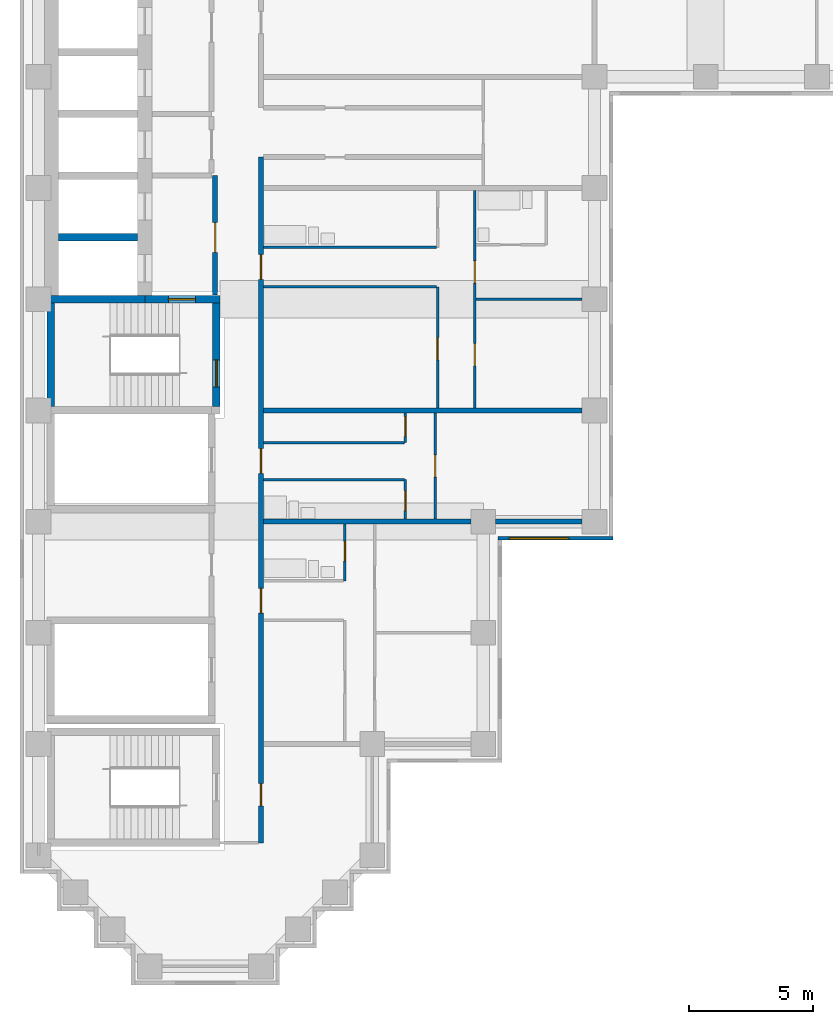
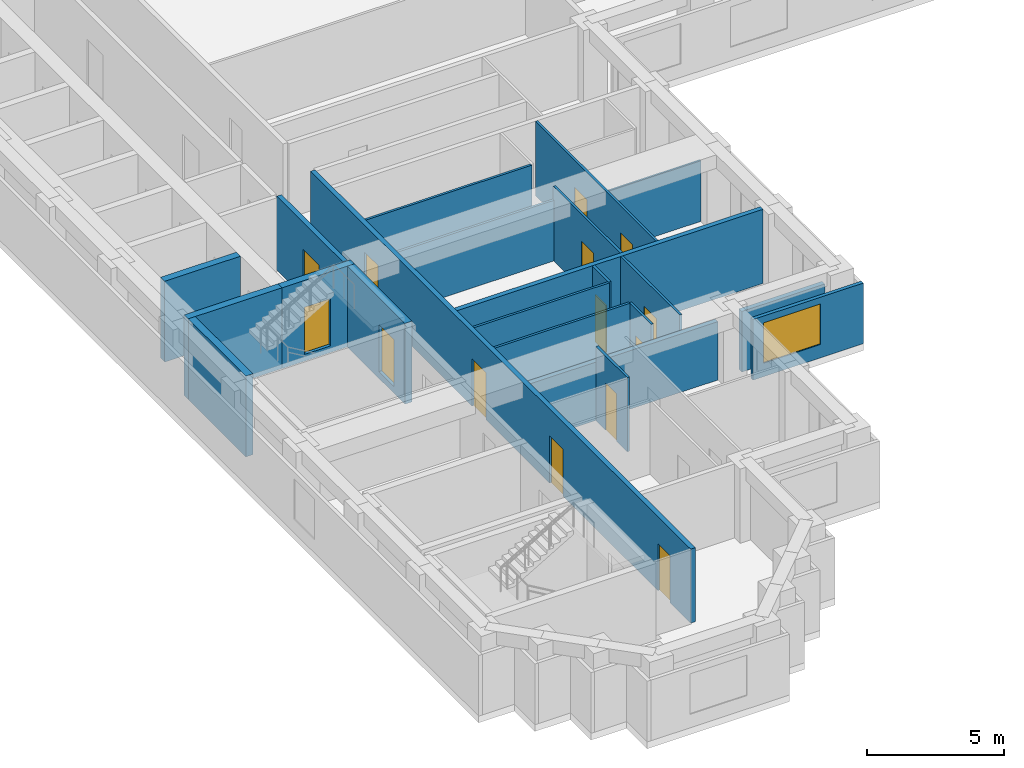
# One storey, part 3 of 12: 22 walls, 14 doors, 1 window, 15 openings.
"""IFC4 building model written with IfcOpenShell, lengths in metres."""

from ifc_helpers import new_model, si_unit, direction, frame, frame_2d, origin, place, context, subcontext, project, spatial, rectangle, extrude, material, layer, layer_set, type_object, element, fill, save


model = new_model("IFC4")

# Units and contexts
model_context = context("Model", 3, precision=1e-05, world=origin(), true_north=direction((0.0, 1.0)))
body_context = subcontext(model_context, "Body", "Model", "MODEL_VIEW")
ifc_project = project(units=[si_unit("LENGTHUNIT", "METRE"), si_unit("AREAUNIT", "SQUARE_METRE"), si_unit("VOLUMEUNIT", "CUBIC_METRE"), si_unit("PLANEANGLEUNIT", "RADIAN"), si_unit("MASSUNIT", "GRAM", prefix="KILO")], contexts=[model_context])

# Site, building, storey
site_placement = place(None, origin())
site = spatial("IfcSite", under=ifc_project, at=site_placement, CompositionType="ELEMENT")
building_placement = place(site_placement, origin())
building = spatial("IfcBuilding", under=site, at=building_placement, Name="Firuza Court", CompositionType="ELEMENT")
storey_placement = place(building_placement, frame((0.0, 0.0, 155.60009765625)))
storey = spatial("IfcBuildingStorey", under=building, at=storey_placement, Name="L39", CompositionType="ELEMENT", Elevation=155.60009765625)

# Walls
ifc_material_1 = material(Name="Moisture-resistant gypsum board partition")
ifc_layer_1 = layer(ifc_material_1, 0.10009765625)
ifc_layer_set_1 = layer_set([ifc_layer_1], Name="Moisture-resistant gypsum board partition")
wall_type_1 = type_object("IfcWallType", Name="Bathroom partition 100", PredefinedType="PLUMBINGWALL", material=ifc_layer_set_1)
wall_1_placement = place(storey_placement, frame((9.10009765625, 19.699951171875, 0.0), z_axis=(0.0, 0.0, 1.0), x_axis=(1.0, 0.0, 0.0)))
element("IfcWall", 1, at=wall_1_placement, inside=storey, type_object=wall_type_1, Name="Bathroom partition 100 L39", PredefinedType="PLUMBINGWALL", context=body_context, shape_type="SweptSolid", body=[
    extrude(rectangle(XDim=5.699951171875, YDim=0.10009765625, at=frame_2d((2.85009765625, 0.0))), origin(), (0.0, 0.0, 1.0), 3.2998046875),
])
wall_2_placement = place(storey_placement, frame((9.10009765625, 29.10009765625, 0.0), z_axis=(0.0, 0.0, 1.0), x_axis=(1.0, 0.0, 0.0)))
element("IfcWall", 2, at=wall_2_placement, inside=storey, type_object=wall_type_1, Name="Bathroom partition 100 L39", PredefinedType="PLUMBINGWALL", context=body_context, shape_type="SweptSolid", body=[
    extrude(rectangle(XDim=7.0, YDim=0.10009765625, at=frame_2d((3.5, 0.0))), origin(), (0.0, 0.0, 1.0), 3.2998046875),
])
ifc_material_2 = material(Name="Concrete C60/75", Category="concrete")
ifc_layer_2 = layer(ifc_material_2, 0.300048828125)
ifc_layer_set_2 = layer_set([ifc_layer_2], Name="Concrete C60/75")
wall_type_2 = type_object("IfcWallType", Name="Core wall 300 C60/75", PredefinedType="SHEAR", material=ifc_layer_set_2)
wall_3_placement = place(storey_placement, frame((0.35009765625, 27.0, -0.300048828125), z_axis=(0.0, 0.0, 1.0), x_axis=(1.0, 0.0, 0.0)))
element("IfcWall", 3, at=wall_3_placement, inside=storey, type_object=wall_type_2, Name="Core wall lift shaft L39", PredefinedType="SHEAR", context=body_context, shape_type="SweptSolid", body=[
    extrude(rectangle(XDim=3.949951171875, YDim=0.300048828125, at=frame_2d((1.97509765625, 0.0))), origin(), (0.0, 0.0, 1.0), 3.599853515625),
])
wall_4_placement = place(storey_placement, frame((0.5, 22.64990234375, -0.300048828125), z_axis=(0.0, 0.0, 1.0), x_axis=(0.0, 1.0, 0.0)))
element("IfcWall", 4, at=wall_4_placement, inside=storey, type_object=wall_type_2, Name="Core wall stair L39", PredefinedType="SHEAR", context=body_context, shape_type="SweptSolid", body=[
    extrude(rectangle(XDim=4.2001953125, YDim=0.300048828125, at=frame_2d((2.10009765625, 0.0))), origin(), (0.0, 0.0, 1.0), 3.599853515625),
])
wall_5_placement = place(storey_placement, frame((0.800048828125, 29.5, -0.300048828125), z_axis=(0.0, 0.0, 1.0), x_axis=(1.0, 0.0, 0.0)))
element("IfcWall", 5, at=wall_5_placement, inside=storey, type_object=wall_type_2, Name="Core wall lift shaft L39", PredefinedType="SHEAR", context=body_context, shape_type="SweptSolid", body=[
    extrude(rectangle(XDim=3.199951171875, YDim=0.300048828125, at=frame_2d((1.60009765625, 0.0))), origin(), (0.0, 0.0, 1.0), 3.599853515625),
])

# Wall, opening, door
wall_6_placement = place(storey_placement, frame((4.300048828125, 27.0, -0.300048828125), z_axis=(0.0, 0.0, 1.0), x_axis=(1.0, 0.0, 0.0)))
wall_6 = element("IfcWall", 6, at=wall_6_placement, inside=storey, type_object=wall_type_2, Name="Core wall stair L39", PredefinedType="SHEAR", context=body_context, shape_type="SweptSolid", body=[
    extrude(rectangle(XDim=3.050048828125, YDim=0.300048828125, at=frame_2d((1.52490234375, 0.0))), origin(), (0.0, 0.0, 1.0), 3.599853515625),
])
opening_1_placement = place(wall_6_placement, frame((0.949951171875, 0.0, 0.300048828125)))
opening_1 = element("IfcOpeningElement", 7, at=opening_1_placement, cuts=wall_6, Name="Opening D39013", PredefinedType="OPENING", context=body_context, shape_type="SweptSolid", body=[
    extrude(rectangle(XDim=1.10009765625, YDim=2.10009765625, at=frame_2d((0.550048828125, 1.050048828125))), frame((0.0, 0.162109375, 0.0), z_axis=(0.0, -1.0, 0.0), x_axis=(1.0, 0.0, 0.0)), (0.0, 0.0, 1.0), 0.323974609375),
])
ifc_material_3 = material(Name="Timber door leaf in hardwood frame", Category="wood")
door_type_1 = type_object("IfcDoorType", Name="Stair door 1100", OperationType="SINGLE_SWING_LEFT", PredefinedType="DOOR", material=ifc_material_3)
door_1_placement = place(opening_1_placement, frame((1.10009765625, 0.0, 0.0), z_axis=(0.0, 0.0, 1.0), x_axis=(-1.0, 0.0, 0.0)))
door_1 = element("IfcDoor", 8, at=door_1_placement, inside=storey, type_object=door_type_1, Name="Fire-fighting lobby door", OperationType="SINGLE_SWING_LEFT", OverallHeight=2.10009765625, OverallWidth=1.10009765625, PredefinedType="DOOR", context=body_context, shape_type="SweptSolid", body=[
    extrude(rectangle(XDim=1.10009765625, YDim=2.10009765625, at=frame_2d((0.550048828125, 1.050048828125))), frame((0.0, 0.02490234375, 0.0), z_axis=(0.0, -1.0, 0.0), x_axis=(1.0, 0.0, 0.0)), (0.0, 0.0, 1.0), 0.050048828125),
])
fill(opening_1, door_1)

wall_7_placement = place(storey_placement, frame((7.199951171875, 22.64990234375, -0.300048828125), z_axis=(0.0, 0.0, 1.0), x_axis=(0.0, 1.0, 0.0)))
wall_7 = element("IfcWall", 9, at=wall_7_placement, inside=storey, type_object=wall_type_2, Name="Core wall stair L39", PredefinedType="SHEAR", context=body_context, shape_type="SweptSolid", body=[
    extrude(rectangle(XDim=4.2001953125, YDim=0.300048828125, at=frame_2d((2.10009765625, 0.0))), origin(), (0.0, 0.0, 1.0), 3.599853515625),
])
opening_2_placement = place(wall_7_placement, frame((0.800048828125, 0.0, 0.300048828125)))
opening_2 = element("IfcOpeningElement", 10, at=opening_2_placement, cuts=wall_7, Name="Opening D39014", PredefinedType="OPENING", context=body_context, shape_type="SweptSolid", body=[
    extrude(rectangle(XDim=1.10009765625, YDim=2.10009765625, at=frame_2d((0.550048828125, 1.050048828125))), frame((0.0, 0.162109375, 0.0), z_axis=(0.0, -1.0, 0.0), x_axis=(1.0, 0.0, 0.0)), (0.0, 0.0, 1.0), 0.323974609375),
])
door_2_placement = place(opening_2_placement, origin())
door_2 = element("IfcDoor", 11, at=door_2_placement, inside=storey, type_object=door_type_1, Name="Stair door S2", OperationType="SINGLE_SWING_LEFT", OverallHeight=2.10009765625, OverallWidth=1.10009765625, PredefinedType="DOOR", context=body_context, shape_type="SweptSolid", body=[
    extrude(rectangle(XDim=1.10009765625, YDim=2.10009765625, at=frame_2d((0.550048828125, 1.050048828125))), frame((0.0, 0.02490234375, 0.0), z_axis=(0.0, -1.0, 0.0), x_axis=(1.0, 0.0, 0.0)), (0.0, 0.0, 1.0), 0.050048828125),
])
fill(opening_2, door_2)

# Wall, openings, doors
ifc_material_4 = material(Name="Blockwork, plastered both sides", Category="masonry")
ifc_layer_3 = layer(ifc_material_4, 0.199951171875)
ifc_layer_set_3 = layer_set([ifc_layer_3], Name="Blockwork, plastered both sides")
wall_type_3 = type_object("IfcWallType", Name="Corridor wall 200", PredefinedType="PARTITIONING", material=ifc_layer_set_3)
wall_8_placement = place(storey_placement, frame((9.0, 5.0, 0.0), z_axis=(0.0, 0.0, 1.0), x_axis=(0.0, 1.0, 0.0)))
wall_8 = element("IfcWall", 12, at=wall_8_placement, inside=storey, type_object=wall_type_3, Name="Corridor wall 200 L39", PredefinedType="PARTITIONING", context=body_context, shape_type="SweptSolid", body=[
    extrude(rectangle(XDim=27.75, YDim=0.199951171875, at=frame_2d((13.875, 0.0))), origin(), (0.0, 0.0, 1.0), 3.2998046875),
])
opening_3_placement = place(wall_8_placement, frame((22.800048828125, 0.0, 0.0)))
opening_3 = element("IfcOpeningElement", 13, at=opening_3_placement, cuts=wall_8, Name="Opening D39018", PredefinedType="OPENING", context=body_context, shape_type="SweptSolid", body=[
    extrude(rectangle(XDim=1.0, YDim=2.10009765625, at=frame_2d((0.5, 1.050048828125))), frame((0.0, 0.11181640625, 0.0), z_axis=(0.0, -1.0, 0.0), x_axis=(1.0, 0.0, 0.0)), (0.0, 0.0, 1.0), 0.223876953125),
])
opening_4_placement = place(wall_8_placement, frame((14.949951171875, 0.0, 0.0)))
opening_4 = element("IfcOpeningElement", 14, at=opening_4_placement, cuts=wall_8, Name="Opening D39019", PredefinedType="OPENING", context=body_context, shape_type="SweptSolid", body=[
    extrude(rectangle(XDim=1.0, YDim=2.10009765625, at=frame_2d((0.5, 1.050048828125))), frame((0.0, 0.11181640625, 0.0), z_axis=(0.0, -1.0, 0.0), x_axis=(1.0, 0.0, 0.0)), (0.0, 0.0, 1.0), 0.223876953125),
])
opening_5_placement = place(wall_8_placement, frame((9.300048828125, 0.0, 0.0)))
opening_5 = element("IfcOpeningElement", 15, at=opening_5_placement, cuts=wall_8, Name="Opening D39020", PredefinedType="OPENING", context=body_context, shape_type="SweptSolid", body=[
    extrude(rectangle(XDim=1.0, YDim=2.10009765625, at=frame_2d((0.5, 1.050048828125))), frame((0.0, 0.11181640625, 0.0), z_axis=(0.0, -1.0, 0.0), x_axis=(1.0, 0.0, 0.0)), (0.0, 0.0, 1.0), 0.223876953125),
])
opening_6_placement = place(wall_8_placement, frame((1.5, 0.0, 0.0)))
opening_6 = element("IfcOpeningElement", 16, at=opening_6_placement, cuts=wall_8, Name="Opening D39021", PredefinedType="OPENING", context=body_context, shape_type="SweptSolid", body=[
    extrude(rectangle(XDim=0.89990234375, YDim=2.10009765625, at=frame_2d((0.449951171875, 1.050048828125))), frame((0.0, 0.11181640625, 0.0), z_axis=(0.0, -1.0, 0.0), x_axis=(1.0, 0.0, 0.0)), (0.0, 0.0, 1.0), 0.223876953125),
])
ifc_material_5 = material(Name="Timber door leaf in hardwood frame", Category="wood")
door_type_2 = type_object("IfcDoorType", Name="Flat entrance door 1000", OperationType="SINGLE_SWING_LEFT", PredefinedType="DOOR", material=ifc_material_5)
door_3_placement = place(opening_3_placement, origin())
door_3 = element("IfcDoor", 17, at=door_3_placement, inside=storey, type_object=door_type_2, Name="Flat entrance door", OperationType="SINGLE_SWING_LEFT", OverallHeight=2.10009765625, OverallWidth=1.0, PredefinedType="DOOR", context=body_context, shape_type="SweptSolid", body=[
    extrude(rectangle(XDim=1.0, YDim=2.10009765625, at=frame_2d((0.5, 1.050048828125))), frame((0.0, 0.02490234375, 0.0), z_axis=(0.0, -1.0, 0.0), x_axis=(1.0, 0.0, 0.0)), (0.0, 0.0, 1.0), 0.050048828125),
])
fill(opening_3, door_3)
door_4_placement = place(opening_4_placement, origin())
door_4 = element("IfcDoor", 18, at=door_4_placement, inside=storey, type_object=door_type_2, Name="Flat entrance door", OperationType="SINGLE_SWING_LEFT", OverallHeight=2.10009765625, OverallWidth=1.0, PredefinedType="DOOR", context=body_context, shape_type="SweptSolid", body=[
    extrude(rectangle(XDim=1.0, YDim=2.10009765625, at=frame_2d((0.5, 1.050048828125))), frame((0.0, 0.02490234375, 0.0), z_axis=(0.0, -1.0, 0.0), x_axis=(1.0, 0.0, 0.0)), (0.0, 0.0, 1.0), 0.050048828125),
])
fill(opening_4, door_4)
door_5_placement = place(opening_5_placement, origin())
door_5 = element("IfcDoor", 19, at=door_5_placement, inside=storey, type_object=door_type_2, Name="Flat entrance door", OperationType="SINGLE_SWING_LEFT", OverallHeight=2.10009765625, OverallWidth=1.0, PredefinedType="DOOR", context=body_context, shape_type="SweptSolid", body=[
    extrude(rectangle(XDim=1.0, YDim=2.10009765625, at=frame_2d((0.5, 1.050048828125))), frame((0.0, 0.02490234375, 0.0), z_axis=(0.0, -1.0, 0.0), x_axis=(1.0, 0.0, 0.0)), (0.0, 0.0, 1.0), 0.050048828125),
])
fill(opening_5, door_5)
ifc_material_6 = material(Name="Timber door leaf in hardwood frame", Category="wood")
door_type_3 = type_object("IfcDoorType", Name="Room door 900 EI 30", OperationType="SINGLE_SWING_LEFT", PredefinedType="DOOR", material=ifc_material_6)
door_6_placement = place(opening_6_placement, frame((0.89990234375, 0.0, 0.0), z_axis=(0.0, 0.0, 1.0), x_axis=(-1.0, 0.0, 0.0)))
door_6 = element("IfcDoor", 20, at=door_6_placement, inside=storey, type_object=door_type_3, Name="Music room door", OperationType="SINGLE_SWING_LEFT", OverallHeight=2.10009765625, OverallWidth=0.89990234375, PredefinedType="DOOR", context=body_context, shape_type="SweptSolid", body=[
    extrude(rectangle(XDim=0.89990234375, YDim=2.10009765625, at=frame_2d((0.449951171875, 1.050048828125))), frame((0.0, 0.02490234375, 0.0), z_axis=(0.0, -1.0, 0.0), x_axis=(1.0, 0.0, 0.0)), (0.0, 0.0, 1.0), 0.050048828125),
])
fill(opening_6, door_6)

# Wall, opening, door
ifc_material_7 = material(Name="Timber stud partition, plasterboard both sides", Category="wood")
ifc_layer_4 = layer(ifc_material_7, 0.10009765625)
ifc_layer_set_4 = layer_set([ifc_layer_4], Name="Timber stud partition, plasterboard both sides")
wall_type_4 = type_object("IfcWallType", Name="Partition wall 100", PredefinedType="PARTITIONING", material=ifc_layer_set_4)
wall_9_placement = place(storey_placement, frame((12.39990234375, 15.60009765625, 0.0), z_axis=(0.0, 0.0, 1.0), x_axis=(0.0, 1.0, 0.0)))
wall_9 = element("IfcWall", 21, at=wall_9_placement, inside=storey, type_object=wall_type_4, Name="Partition wall 100 L39", PredefinedType="PARTITIONING", context=body_context, shape_type="SweptSolid", body=[
    extrude(rectangle(XDim=2.2998046875, YDim=0.10009765625, at=frame_2d((1.14990234375, 0.0))), origin(), (0.0, 0.0, 1.0), 3.2998046875),
])
opening_7_placement = place(wall_9_placement, frame((0.800048828125, 0.0, 0.0)))
opening_7 = element("IfcOpeningElement", 22, at=opening_7_placement, cuts=wall_9, Name="Opening D39026", PredefinedType="OPENING", context=body_context, shape_type="SweptSolid", body=[
    extrude(rectangle(XDim=0.800048828125, YDim=2.10009765625, at=frame_2d((0.39990234375, 1.050048828125))), frame((0.0, 0.06201171875, 0.0), z_axis=(0.0, -1.0, 0.0), x_axis=(1.0, 0.0, 0.0)), (0.0, 0.0, 1.0), 0.1240234375),
])
ifc_material_8 = material(Name="Timber door leaf in hardwood frame", Category="wood")
door_type_4 = type_object("IfcDoorType", Name="Bathroom door 800", OperationType="SINGLE_SWING_LEFT", PredefinedType="DOOR", material=ifc_material_8)
door_7_placement = place(opening_7_placement, origin())
door_7 = element("IfcDoor", 23, at=door_7_placement, inside=storey, type_object=door_type_4, Name="Bathroom door", OperationType="SINGLE_SWING_LEFT", OverallHeight=2.10009765625, OverallWidth=0.800048828125, PredefinedType="DOOR", context=body_context, shape_type="SweptSolid", body=[
    extrude(rectangle(XDim=0.800048828125, YDim=2.10009765625, at=frame_2d((0.39990234375, 1.050048828125))), frame((0.0, 0.02490234375, 0.0), z_axis=(0.0, -1.0, 0.0), x_axis=(1.0, 0.0, 0.0)), (0.0, 0.0, 1.0), 0.050048828125),
])
fill(opening_7, door_7)

wall_10_placement = place(storey_placement, frame((14.85009765625, 18.10009765625, 0.0), z_axis=(0.0, 0.0, 1.0), x_axis=(0.0, 1.0, 0.0)))
wall_10 = element("IfcWall", 24, at=wall_10_placement, inside=storey, type_object=wall_type_4, Name="Partition wall 100 L39", PredefinedType="PARTITIONING", context=body_context, shape_type="SweptSolid", body=[
    extrude(rectangle(XDim=1.599853515625, YDim=0.10009765625, at=frame_2d((0.7998046875, 0.0))), origin(), (0.0, 0.0, 1.0), 3.2998046875),
])
opening_8_placement = place(wall_10_placement, frame((0.35009765625, 0.0, 0.0)))
opening_8 = element("IfcOpeningElement", 25, at=opening_8_placement, cuts=wall_10, Name="Opening D39027", PredefinedType="OPENING", context=body_context, shape_type="SweptSolid", body=[
    extrude(rectangle(XDim=0.800048828125, YDim=2.10009765625, at=frame_2d((0.39990234375, 1.050048828125))), frame((0.0, 0.06201171875, 0.0), z_axis=(0.0, -1.0, 0.0), x_axis=(1.0, 0.0, 0.0)), (0.0, 0.0, 1.0), 0.1240234375),
])
door_8_placement = place(opening_8_placement, origin())
door_8 = element("IfcDoor", 26, at=door_8_placement, inside=storey, type_object=door_type_4, Name="Bathroom door", OperationType="SINGLE_SWING_LEFT", OverallHeight=2.10009765625, OverallWidth=0.800048828125, PredefinedType="DOOR", context=body_context, shape_type="SweptSolid", body=[
    extrude(rectangle(XDim=0.800048828125, YDim=2.10009765625, at=frame_2d((0.39990234375, 1.050048828125))), frame((0.0, 0.02490234375, 0.0), z_axis=(0.0, -1.0, 0.0), x_axis=(1.0, 0.0, 0.0)), (0.0, 0.0, 1.0), 0.050048828125),
])
fill(opening_8, door_8)

wall_11_placement = place(storey_placement, frame((16.050048828125, 18.10009765625, 0.0), z_axis=(0.0, 0.0, 1.0), x_axis=(0.0, 1.0, 0.0)))
wall_11 = element("IfcWall", 27, at=wall_11_placement, inside=storey, type_object=wall_type_4, Name="Partition wall 100 L39", PredefinedType="PARTITIONING", context=body_context, shape_type="SweptSolid", body=[
    extrude(rectangle(XDim=4.2998046875, YDim=0.10009765625, at=frame_2d((2.14990234375, 0.0))), origin(), (0.0, 0.0, 1.0), 3.2998046875),
])
opening_9_placement = place(wall_11_placement, frame((1.699951171875, 0.0, 0.0)))
opening_9 = element("IfcOpeningElement", 28, at=opening_9_placement, cuts=wall_11, Name="Opening D39028", PredefinedType="OPENING", context=body_context, shape_type="SweptSolid", body=[
    extrude(rectangle(XDim=0.89990234375, YDim=2.10009765625, at=frame_2d((0.449951171875, 1.050048828125))), frame((0.0, 0.06201171875, 0.0), z_axis=(0.0, -1.0, 0.0), x_axis=(1.0, 0.0, 0.0)), (0.0, 0.0, 1.0), 0.1240234375),
])
ifc_material_9 = material(Name="Timber door leaf in hardwood frame", Category="wood")
door_type_5 = type_object("IfcDoorType", Name="Room door 900", OperationType="SINGLE_SWING_LEFT", PredefinedType="DOOR", material=ifc_material_9)
door_9_placement = place(opening_9_placement, frame((0.89990234375, 0.0, 0.0), z_axis=(0.0, 0.0, 1.0), x_axis=(-1.0, 0.0, 0.0)))
door_9 = element("IfcDoor", 29, at=door_9_placement, inside=storey, type_object=door_type_5, Name="Studio room door", OperationType="SINGLE_SWING_RIGHT", OverallHeight=2.10009765625, OverallWidth=0.89990234375, PredefinedType="DOOR", context=body_context, shape_type="SweptSolid", body=[
    extrude(rectangle(XDim=0.89990234375, YDim=2.10009765625, at=frame_2d((0.449951171875, 1.050048828125))), frame((0.0, 0.02490234375, 0.0), z_axis=(0.0, -1.0, 0.0), x_axis=(1.0, 0.0, 0.0)), (0.0, 0.0, 1.0), 0.050048828125),
])
fill(opening_9, door_9)

# Wall
wall_12_placement = place(storey_placement, frame((9.10009765625, 21.199951171875, 0.0), z_axis=(0.0, 0.0, 1.0), x_axis=(1.0, 0.0, 0.0)))
element("IfcWall", 30, at=wall_12_placement, inside=storey, type_object=wall_type_4, Name="Partition wall 100 L39", PredefinedType="PARTITIONING", context=body_context, shape_type="SweptSolid", body=[
    extrude(rectangle(XDim=5.699951171875, YDim=0.10009765625, at=frame_2d((2.85009765625, 0.0))), origin(), (0.0, 0.0, 1.0), 3.2998046875),
])

# Wall, opening, door
wall_13_placement = place(storey_placement, frame((14.85009765625, 21.199951171875, 0.0), z_axis=(0.0, 0.0, 1.0), x_axis=(0.0, 1.0, 0.0)))
wall_13 = element("IfcWall", 31, at=wall_13_placement, inside=storey, type_object=wall_type_4, Name="Partition wall 100 L39", PredefinedType="PARTITIONING", context=body_context, shape_type="SweptSolid", body=[
    extrude(rectangle(XDim=1.199951171875, YDim=0.10009765625, at=frame_2d((0.60009765625, 0.0))), origin(), (0.0, 0.0, 1.0), 3.2998046875),
])
opening_10_placement = place(wall_13_placement, frame((0.25, 0.0, 0.0)))
opening_10 = element("IfcOpeningElement", 32, at=opening_10_placement, cuts=wall_13, Name="Opening D39029", PredefinedType="OPENING", context=body_context, shape_type="SweptSolid", body=[
    extrude(rectangle(XDim=0.800048828125, YDim=2.10009765625, at=frame_2d((0.39990234375, 1.050048828125))), frame((0.0, 0.06201171875, 0.0), z_axis=(0.0, -1.0, 0.0), x_axis=(1.0, 0.0, 0.0)), (0.0, 0.0, 1.0), 0.1240234375),
])
ifc_material_10 = material(Name="Timber door leaf in hardwood frame", Category="wood")
door_type_6 = type_object("IfcDoorType", Name="Room door 800", OperationType="SINGLE_SWING_LEFT", PredefinedType="DOOR", material=ifc_material_10)
door_10_placement = place(opening_10_placement, origin())
door_10 = element("IfcDoor", 33, at=door_10_placement, inside=storey, type_object=door_type_6, Name="Kitchen door", OperationType="SINGLE_SWING_LEFT", OverallHeight=2.10009765625, OverallWidth=0.800048828125, PredefinedType="DOOR", context=body_context, shape_type="SweptSolid", body=[
    extrude(rectangle(XDim=0.800048828125, YDim=2.10009765625, at=frame_2d((0.39990234375, 1.050048828125))), frame((0.0, 0.02490234375, 0.0), z_axis=(0.0, -1.0, 0.0), x_axis=(1.0, 0.0, 0.0)), (0.0, 0.0, 1.0), 0.050048828125),
])
fill(opening_10, door_10)

wall_14_placement = place(storey_placement, frame((16.14990234375, 22.60009765625, 0.0), z_axis=(0.0, 0.0, 1.0), x_axis=(0.0, 1.0, 0.0)))
wall_14 = element("IfcWall", 34, at=wall_14_placement, inside=storey, type_object=wall_type_4, Name="Partition wall 100 L39", PredefinedType="PARTITIONING", context=body_context, shape_type="SweptSolid", body=[
    extrude(rectangle(XDim=4.89990234375, YDim=0.10009765625, at=frame_2d((2.449951171875, 0.0))), origin(), (0.0, 0.0, 1.0), 3.2998046875),
])
opening_11_placement = place(wall_14_placement, frame((1.949951171875, 0.0, 0.0)))
opening_11 = element("IfcOpeningElement", 35, at=opening_11_placement, cuts=wall_14, Name="Opening D39030", PredefinedType="OPENING", context=body_context, shape_type="SweptSolid", body=[
    extrude(rectangle(XDim=0.89990234375, YDim=2.10009765625, at=frame_2d((0.449951171875, 1.050048828125))), frame((0.0, 0.06201171875, 0.0), z_axis=(0.0, -1.0, 0.0), x_axis=(1.0, 0.0, 0.0)), (0.0, 0.0, 1.0), 0.1240234375),
])
door_11_placement = place(opening_11_placement, origin())
door_11 = element("IfcDoor", 36, at=door_11_placement, inside=storey, type_object=door_type_5, Name="Kitchen door", OperationType="SINGLE_SWING_LEFT", OverallHeight=2.10009765625, OverallWidth=0.89990234375, PredefinedType="DOOR", context=body_context, shape_type="SweptSolid", body=[
    extrude(rectangle(XDim=0.89990234375, YDim=2.10009765625, at=frame_2d((0.449951171875, 1.050048828125))), frame((0.0, 0.02490234375, 0.0), z_axis=(0.0, -1.0, 0.0), x_axis=(1.0, 0.0, 0.0)), (0.0, 0.0, 1.0), 0.050048828125),
])
fill(opening_11, door_11)

# Wall, openings, doors
wall_15_placement = place(storey_placement, frame((17.64990234375, 22.60009765625, 0.0), z_axis=(0.0, 0.0, 1.0), x_axis=(0.0, 1.0, 0.0)))
wall_15 = element("IfcWall", 37, at=wall_15_placement, inside=storey, type_object=wall_type_4, Name="Partition wall 100 L39", PredefinedType="PARTITIONING", context=body_context, shape_type="SweptSolid", body=[
    extrude(rectangle(XDim=8.7998046875, YDim=0.10009765625, at=frame_2d((4.39990234375, 0.0))), origin(), (0.0, 0.0, 1.0), 3.2998046875),
])
opening_12_placement = place(wall_15_placement, frame((1.699951171875, 0.0, 0.0)))
opening_12 = element("IfcOpeningElement", 38, at=opening_12_placement, cuts=wall_15, Name="Opening D39031", PredefinedType="OPENING", context=body_context, shape_type="SweptSolid", body=[
    extrude(rectangle(XDim=0.89990234375, YDim=2.10009765625, at=frame_2d((0.449951171875, 1.050048828125))), frame((0.0, 0.06201171875, 0.0), z_axis=(0.0, -1.0, 0.0), x_axis=(1.0, 0.0, 0.0)), (0.0, 0.0, 1.0), 0.1240234375),
])
opening_13_placement = place(wall_15_placement, frame((5.050048828125, 0.0, 0.0)))
opening_13 = element("IfcOpeningElement", 39, at=opening_13_placement, cuts=wall_15, Name="Opening D39032", PredefinedType="OPENING", context=body_context, shape_type="SweptSolid", body=[
    extrude(rectangle(XDim=0.89990234375, YDim=2.10009765625, at=frame_2d((0.449951171875, 1.050048828125))), frame((0.0, 0.06201171875, 0.0), z_axis=(0.0, -1.0, 0.0), x_axis=(1.0, 0.0, 0.0)), (0.0, 0.0, 1.0), 0.1240234375),
])
door_12_placement = place(opening_12_placement, frame((0.89990234375, 0.0, 0.0), z_axis=(0.0, 0.0, 1.0), x_axis=(-1.0, 0.0, 0.0)))
door_12 = element("IfcDoor", 40, at=door_12_placement, inside=storey, type_object=door_type_5, Name="Living room door", OperationType="SINGLE_SWING_RIGHT", OverallHeight=2.10009765625, OverallWidth=0.89990234375, PredefinedType="DOOR", context=body_context, shape_type="SweptSolid", body=[
    extrude(rectangle(XDim=0.89990234375, YDim=2.10009765625, at=frame_2d((0.449951171875, 1.050048828125))), frame((0.0, 0.02490234375, 0.0), z_axis=(0.0, -1.0, 0.0), x_axis=(1.0, 0.0, 0.0)), (0.0, 0.0, 1.0), 0.050048828125),
])
fill(opening_12, door_12)
door_13_placement = place(opening_13_placement, frame((0.89990234375, 0.0, 0.0), z_axis=(0.0, 0.0, 1.0), x_axis=(-1.0, 0.0, 0.0)))
door_13 = element("IfcDoor", 41, at=door_13_placement, inside=storey, type_object=door_type_5, Name="Bedroom door", OperationType="SINGLE_SWING_RIGHT", OverallHeight=2.10009765625, OverallWidth=0.89990234375, PredefinedType="DOOR", context=body_context, shape_type="SweptSolid", body=[
    extrude(rectangle(XDim=0.89990234375, YDim=2.10009765625, at=frame_2d((0.449951171875, 1.050048828125))), frame((0.0, 0.02490234375, 0.0), z_axis=(0.0, -1.0, 0.0), x_axis=(1.0, 0.0, 0.0)), (0.0, 0.0, 1.0), 0.050048828125),
])
fill(opening_13, door_13)

# Walls
wall_16_placement = place(storey_placement, frame((17.699951171875, 27.0, 0.0), z_axis=(0.0, 0.0, 1.0), x_axis=(1.0, 0.0, 0.0)))
element("IfcWall", 42, at=wall_16_placement, inside=storey, type_object=wall_type_4, Name="Partition wall 100 L39", PredefinedType="PARTITIONING", context=body_context, shape_type="SweptSolid", body=[
    extrude(rectangle(XDim=4.300048828125, YDim=0.10009765625, at=frame_2d((2.14990234375, 0.0))), origin(), (0.0, 0.0, 1.0), 2.699951171875),
])
wall_17_placement = place(storey_placement, frame((9.10009765625, 27.5, 0.0), z_axis=(0.0, 0.0, 1.0), x_axis=(1.0, 0.0, 0.0)))
element("IfcWall", 43, at=wall_17_placement, inside=storey, type_object=wall_type_4, Name="Partition wall 100 L39", PredefinedType="PARTITIONING", context=body_context, shape_type="SweptSolid", body=[
    extrude(rectangle(XDim=7.0, YDim=0.10009765625, at=frame_2d((3.5, 0.0))), origin(), (0.0, 0.0, 1.0), 2.699951171875),
])
ifc_layer_5 = layer(ifc_material_4, 0.199951171875)
ifc_layer_set_5 = layer_set([ifc_layer_5], Name="Blockwork, plastered both sides")
wall_type_5 = type_object("IfcWallType", Name="Party wall 200", PredefinedType="PARTITIONING", material=ifc_layer_set_5)
wall_18_placement = place(storey_placement, frame((9.10009765625, 18.0, 0.0), z_axis=(0.0, 0.0, 1.0), x_axis=(1.0, 0.0, 0.0)))
element("IfcWall", 44, at=wall_18_placement, inside=storey, type_object=wall_type_5, Name="Party wall 200 L39", PredefinedType="PARTITIONING", context=body_context, shape_type="SweptSolid", body=[
    extrude(rectangle(XDim=8.39990234375, YDim=0.199951171875, at=frame_2d((4.199951171875, 0.0))), origin(), (0.0, 0.0, 1.0), 2.599853515625),
])
wall_19_placement = place(storey_placement, frame((18.5, 18.0, 0.0), z_axis=(0.0, 0.0, 1.0), x_axis=(1.0, 0.0, 0.0)))
element("IfcWall", 45, at=wall_19_placement, inside=storey, type_object=wall_type_5, Name="Party wall 200 L39", PredefinedType="PARTITIONING", context=body_context, shape_type="SweptSolid", body=[
    extrude(rectangle(XDim=3.5, YDim=0.199951171875, at=frame_2d((1.75, 0.0))), origin(), (0.0, 0.0, 1.0), 2.699951171875),
])
wall_20_placement = place(storey_placement, frame((9.10009765625, 22.5, 0.0), z_axis=(0.0, 0.0, 1.0), x_axis=(1.0, 0.0, 0.0)))
element("IfcWall", 46, at=wall_20_placement, inside=storey, type_object=wall_type_5, Name="Party wall 200 L39", PredefinedType="PARTITIONING", context=body_context, shape_type="SweptSolid", body=[
    extrude(rectangle(XDim=12.89990234375, YDim=0.199951171875, at=frame_2d((6.449951171875, 0.0))), origin(), (0.0, 0.0, 1.0), 3.2998046875),
])

# Wall, opening, window
ifc_material_11 = material(Name="Ceramic tile", Category="ceramic")
ifc_layer_6 = layer(ifc_material_11, 0.02001953125)
ifc_material_12 = material(Name="Mineral wool insulation", Category="insulation")
ifc_layer_7 = layer(ifc_material_12, 0.050048828125)
ifc_material_13 = material(Name="Concrete C40/50 precast", Category="concrete")
ifc_layer_8 = layer(ifc_material_13, 0.080078125)
ifc_layer_set_6 = layer_set([ifc_layer_6, ifc_layer_7, ifc_layer_8], Name="Concrete C40/50 precast")
wall_type_6 = type_object("IfcWallType", Name="Precast cladding wall with turquoise TILE PANEL face 150", PredefinedType="STANDARD", material=ifc_layer_set_6)
wall_21_placement = place(storey_placement, frame((18.60009765625, 17.324951171875, 0.0), z_axis=(0.0, 0.0, 1.0), x_axis=(1.0, 0.0, 0.0)))
wall_21 = element("IfcWall", 47, at=wall_21_placement, inside=storey, type_object=wall_type_6, Name="Facade wall L39 S", PredefinedType="STANDARD", context=body_context, shape_type="SweptSolid", body=[
    extrude(rectangle(XDim=4.64990234375, YDim=0.14990234375, at=frame_2d((2.324951171875, 0.0))), origin(), (0.0, 0.0, 1.0), 2.699951171875),
])
opening_14_placement = place(wall_21_placement, frame((0.449951171875, 0.0, 0.60009765625)))
opening_14 = element("IfcOpeningElement", 48, at=opening_14_placement, cuts=wall_21, Name="Opening W1", PredefinedType="OPENING", context=body_context, shape_type="SweptSolid", body=[
    extrude(rectangle(XDim=2.39990234375, YDim=1.800048828125, at=frame_2d((1.199951171875, 0.89990234375))), frame((0.0, 0.0869140625, 0.0), z_axis=(0.0, -1.0, 0.0), x_axis=(1.0, 0.0, 0.0)), (0.0, 0.0, 1.0), 0.173828125),
])
ifc_material_14 = material(Name="Aluminium frame, triple clear glazing", Category="aluminium")
window_type = type_object("IfcWindowType", Name="Window W1 2400 x 1800", PartitioningType="SINGLE_PANEL", PredefinedType="WINDOW", material=ifc_material_14)
window_placement = place(opening_14_placement, origin())
window = element("IfcWindow", 49, at=window_placement, inside=storey, type_object=window_type, Name="Window L39", OverallHeight=1.800048828125, OverallWidth=2.39990234375, PartitioningType="SINGLE_PANEL", PredefinedType="WINDOW", context=body_context, shape_type="SweptSolid", body=[
    extrude(rectangle(XDim=2.39990234375, YDim=1.800048828125, at=frame_2d((1.199951171875, 0.89990234375))), frame((0.0, 0.030029296875, 0.0), z_axis=(0.0, -1.0, 0.0), x_axis=(1.0, 0.0, 0.0)), (0.0, 0.0, 1.0), 0.06005859375),
])
fill(opening_14, window)

# Wall, opening, door
ifc_material_15 = material(Name="Blockwork, fire-rated", Category="masonry")
ifc_layer_9 = layer(ifc_material_15, 0.199951171875)
ifc_layer_set_7 = layer_set([ifc_layer_9], Name="Blockwork, fire-rated")
wall_type_7 = type_object("IfcWallType", Name="Shaft wall 200", PredefinedType="PARTITIONING", material=ifc_layer_set_7)
wall_22_placement = place(storey_placement, frame((7.14990234375, 27.169921875, 0.0), z_axis=(0.0, 0.0, 1.0), x_axis=(0.0, 1.0, 0.0)))
wall_22 = element("IfcWall", 50, at=wall_22_placement, inside=storey, type_object=wall_type_7, Name="Shaft wall 200 L39", PredefinedType="PARTITIONING", context=body_context, shape_type="SweptSolid", body=[
    extrude(rectangle(XDim=4.830078125, YDim=0.199951171875, at=frame_2d((2.4150390625, 0.0))), origin(), (0.0, 0.0, 1.0), 3.2998046875),
])
opening_15_placement = place(wall_22_placement, frame((1.72998046875, 0.0, 0.0)))
opening_15 = element("IfcOpeningElement", 51, at=opening_15_placement, cuts=wall_22, Name="Opening D39002", PredefinedType="OPENING", context=body_context, shape_type="SweptSolid", body=[
    extrude(rectangle(XDim=1.199951171875, YDim=2.10009765625, at=frame_2d((0.60009765625, 1.050048828125))), frame((0.0, 0.11181640625, 0.0), z_axis=(0.0, -1.0, 0.0), x_axis=(1.0, 0.0, 0.0)), (0.0, 0.0, 1.0), 0.223876953125),
])
ifc_material_16 = material(Name="Timber door leaf in hardwood frame", Category="wood")
door_type_7 = type_object("IfcDoorType", Name="Lobby door 1200", OperationType="SINGLE_SWING_LEFT", PredefinedType="DOOR", material=ifc_material_16)
door_14_placement = place(opening_15_placement, origin())
door_14 = element("IfcDoor", 52, at=door_14_placement, inside=storey, type_object=door_type_7, Name="Fire-fighting lobby door", OperationType="SINGLE_SWING_LEFT", OverallHeight=2.10009765625, OverallWidth=1.199951171875, PredefinedType="DOOR", context=body_context, shape_type="SweptSolid", body=[
    extrude(rectangle(XDim=1.199951171875, YDim=2.10009765625, at=frame_2d((0.60009765625, 1.050048828125))), frame((0.0, 0.02490234375, 0.0), z_axis=(0.0, -1.0, 0.0), x_axis=(1.0, 0.0, 0.0)), (0.0, 0.0, 1.0), 0.050048828125),
])
fill(opening_15, door_14)

save(model, "model.ifc")
